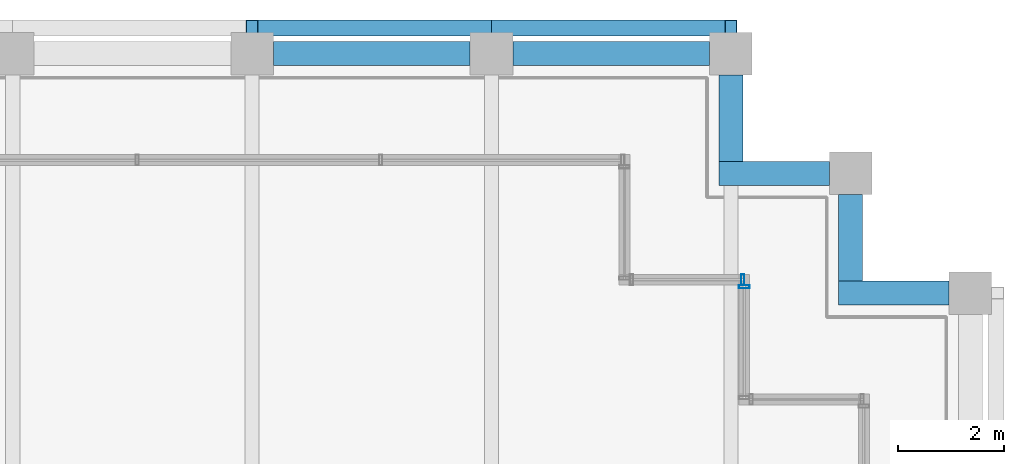
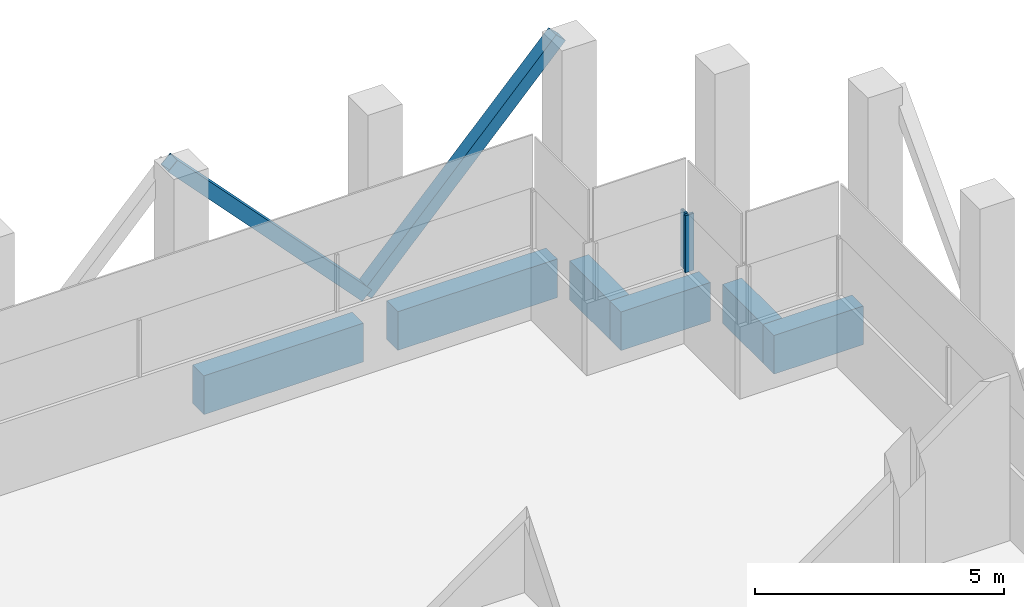
# One storey, part 17 of 21: 6 beams, 4 members, 2 elements without a shape of their own.
"""IFC4 building model written with IfcOpenShell, lengths in metres."""

from ifc_helpers import new_model, si_unit, direction, frame, origin, origin_2d, place, context, subcontext, project, spatial, rectangle, hollow_rectangle, extrude, material, material_profile, profile_set, type_object, element, aggregate, save


model = new_model("IFC4")

# Units and contexts
model_context = context("Model", 3, precision=1e-05, world=origin(), true_north=direction((0.0, 1.0)))
body_context = subcontext(model_context, "Body", "Model", "MODEL_VIEW")
ifc_project = project(units=[si_unit("LENGTHUNIT", "METRE"), si_unit("AREAUNIT", "SQUARE_METRE"), si_unit("VOLUMEUNIT", "CUBIC_METRE"), si_unit("PLANEANGLEUNIT", "RADIAN"), si_unit("MASSUNIT", "GRAM", prefix="KILO")], contexts=[model_context])

# Site, building, storey
site_placement = place(None, origin())
site = spatial("IfcSite", under=ifc_project, at=site_placement, CompositionType="ELEMENT")
building_placement = place(site_placement, origin())
building = spatial("IfcBuilding", under=site, at=building_placement, Name="Altepetl Exchange Towers", CompositionType="ELEMENT")
storey_placement = place(building_placement, frame((0.0, 0.0, 246.0)))
storey = spatial("IfcBuildingStorey", under=building, at=storey_placement, Name="L63 Refuge", CompositionType="ELEMENT", Elevation=246.0)

# Members
ifc_material_1 = material(Name="Steel S355", Category="steel")
ifc_material_profile_1 = material_profile(ifc_material_1, hollow_rectangle(XDim=0.304931640625, YDim=0.304931640625, WallThickness=0.01171875, at=origin_2d()), Name="HSS305X305X12.7")
ifc_profile_set_1 = profile_set([ifc_material_profile_1], Name="Steel S355")
member_type_1 = type_object("IfcMemberType", Name="Belt diagonal HSS305X305X12.7", PredefinedType="BRACE", material=ifc_profile_set_1)
for number, where, z_axis, x_axis, name in (
    (1, (67.5, 72.47998046875, 4.75), (-0.687744647911, 0.0, -0.725952683906), (0.0, -1.0, 0.0), "brc:A:L63:013"),
    (2, (63.0, 72.47998046875, 0.0), (-0.687744647911, 0.0, 0.725952683906), (0.0, -1.0, 0.0), "brc:A:L63:014"),
):
    element("IfcMember", number, at=place(storey_placement, frame(where, z_axis=z_axis, x_axis=x_axis)), inside=storey, type_object=member_type_1, Name=name, PredefinedType="BRACE", context=body_context, shape_type="SweptSolid", body=[
        extrude(hollow_rectangle(XDim=0.304931640625, YDim=0.304931640625, WallThickness=0.01171875, at=origin_2d()), origin(), (0.0, 0.0, 1.0), 6.543212890625),
    ])

# Curtain wall, member
ifc_material_2 = material(Name="Aluminium 6063-T6 glazing", Category="aluminium")
curtain_wall_type = type_object("IfcCurtainWallType", Name="Refuge slit glazing system", PredefinedType="NOTDEFINED", material=ifc_material_2)
curtain_wall_1_placement = place(storey_placement, origin())
curtain_wall_1 = element("IfcCurtainWall", 3, at=curtain_wall_1_placement, inside=storey, type_object=curtain_wall_type, Name="CW3 run", PredefinedType="NOTDEFINED")
ifc_material_3 = material(Name="Aluminium 6063-T6", Category="aluminium")
ifc_material_profile_2 = material_profile(ifc_material_3, hollow_rectangle(XDim=0.06005859375, YDim=0.199951171875, WallThickness=0.0029296875, at=origin_2d()), Name="Mullion 60x200 aluminium")
ifc_profile_set_2 = profile_set([ifc_material_profile_2], Name="Aluminium 6063-T6")
member_type_2 = type_object("IfcMemberType", Name="Mullion 60x200 aluminium", PredefinedType="MULLION", material=ifc_profile_set_2)
member_1_placement = place(storey_placement, frame((67.75, 67.6201171875, 1.800048828125), z_axis=(0.0, 0.0, 1.0), x_axis=(0.0, 1.0, 0.0)))
member_1 = element("IfcMember", 4, at=member_1_placement, type_object=member_type_2, Name="MU2 mullion", PredefinedType="MULLION", context=body_context, shape_type="SweptSolid", body=[
    extrude(hollow_rectangle(XDim=0.06005859375, YDim=0.199951171875, WallThickness=0.0029296875, at=origin_2d()), origin(), (0.0, 0.0, 1.0), 1.39990234375),
])
aggregate(curtain_wall_1, [member_1])

curtain_wall_2_placement = place(storey_placement, origin())
curtain_wall_2 = element("IfcCurtainWall", 5, at=curtain_wall_2_placement, inside=storey, type_object=curtain_wall_type, Name="CW3 run", PredefinedType="NOTDEFINED")
member_2_placement = place(storey_placement, frame((67.719970703125, 67.75, 1.800048828125), z_axis=(0.0, 0.0, 1.0), x_axis=(-1.0, 0.0, 0.0)))
member_2 = element("IfcMember", 6, at=member_2_placement, type_object=member_type_2, Name="MU2 mullion", PredefinedType="MULLION", context=body_context, shape_type="SweptSolid", body=[
    extrude(hollow_rectangle(XDim=0.06005859375, YDim=0.199951171875, WallThickness=0.0029296875, at=origin_2d()), origin(), (0.0, 0.0, 1.0), 1.39990234375),
])
aggregate(curtain_wall_2, [member_2])

# Beams
ifc_material_4 = material(Name="Concrete C50/60 precast with cantera rosa facing", Category="concrete")
ifc_material_profile_3 = material_profile(ifc_material_4, rectangle(XDim=0.449951171875, YDim=0.949951171875, at=origin_2d()), Name="450 x 950")
ifc_profile_set_3 = profile_set([ifc_material_profile_3], Name="Concrete C50/60 precast with cantera rosa facing")
beam_type = type_object("IfcBeamType", Name="Spandrel beam 450x950 cantera rosa", PredefinedType="SPANDREL", material=ifc_profile_set_3)
beam_1_placement = place(storey_placement, frame((71.60009765625, 67.5, -0.675048828125), z_axis=(-1.0, 0.0, 0.0), x_axis=(0.0, -1.0, 0.0)))
element("IfcBeam", 7, at=beam_1_placement, inside=storey, type_object=beam_type, Name="sp:A:L63:020", PredefinedType="SPANDREL", context=body_context, shape_type="SweptSolid", body=[
    extrude(rectangle(XDim=0.449951171875, YDim=0.949951171875, at=origin_2d()), origin(), (0.0, 0.0, 1.0), 2.0751953125),
])
beam_2_placement = place(storey_placement, frame((69.75, 67.72509765625, -0.675048828125), z_axis=(0.0, 1.0, 0.0), x_axis=(-1.0, 0.0, 0.0)))
element("IfcBeam", 8, at=beam_2_placement, inside=storey, type_object=beam_type, Name="sp:A:L63:021", PredefinedType="SPANDREL", context=body_context, shape_type="SweptSolid", body=[
    extrude(rectangle(XDim=0.449951171875, YDim=0.949951171875, at=origin_2d()), origin(), (0.0, 0.0, 1.0), 1.625),
])
beam_3_placement = place(storey_placement, frame((69.35009765625, 69.75, -0.675048828125), z_axis=(-1.0, 0.0, 0.0), x_axis=(0.0, -1.0, 0.0)))
element("IfcBeam", 9, at=beam_3_placement, inside=storey, type_object=beam_type, Name="sp:A:L63:022", PredefinedType="SPANDREL", context=body_context, shape_type="SweptSolid", body=[
    extrude(rectangle(XDim=0.449951171875, YDim=0.949951171875, at=origin_2d()), origin(), (0.0, 0.0, 1.0), 2.0751953125),
])
beam_4_placement = place(storey_placement, frame((67.5, 69.97509765625, -0.675048828125), z_axis=(0.0, 1.0, 0.0), x_axis=(-1.0, 0.0, 0.0)))
element("IfcBeam", 10, at=beam_4_placement, inside=storey, type_object=beam_type, Name="sp:A:L63:023", PredefinedType="SPANDREL", context=body_context, shape_type="SweptSolid", body=[
    extrude(rectangle(XDim=0.449951171875, YDim=0.949951171875, at=origin_2d()), origin(), (0.0, 0.0, 1.0), 1.625),
])
for number, where, z_axis, x_axis, name in (
    (11, (67.10009765625, 72.0, -0.675048828125), (-1.0, 0.0, 0.0), (0.0, -1.0, 0.0), "sp:A:L63:024"),
    (12, (62.60009765625, 72.0, -0.675048828125), (-1.0, 0.0, 0.0), (0.0, -1.0, 0.0), "sp:A:L63:025"),
):
    element("IfcBeam", number, at=place(storey_placement, frame(where, z_axis=z_axis, x_axis=x_axis)), inside=storey, type_object=beam_type, Name=name, PredefinedType="SPANDREL", context=body_context, shape_type="SweptSolid", body=[
        extrude(rectangle(XDim=0.449951171875, YDim=0.949951171875, at=origin_2d()), origin(), (0.0, 0.0, 1.0), 3.7001953125),
    ])

save(model, "model.ifc")
